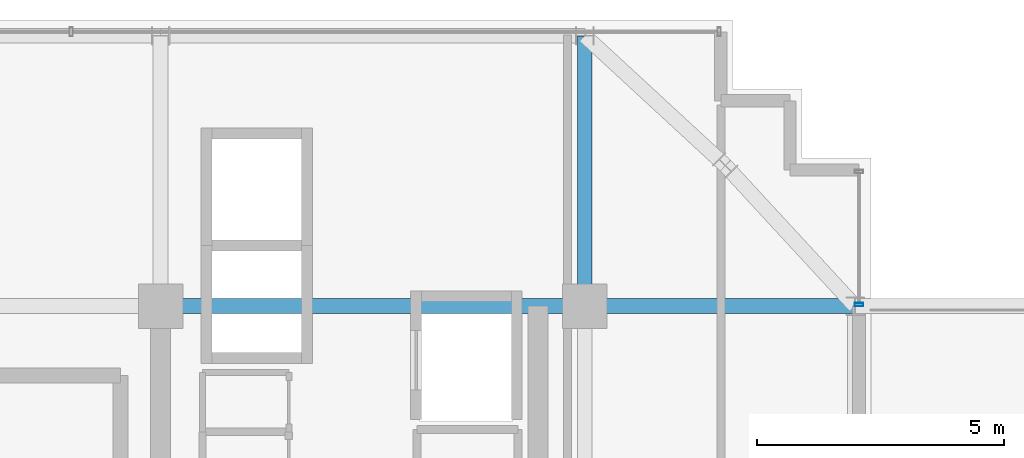
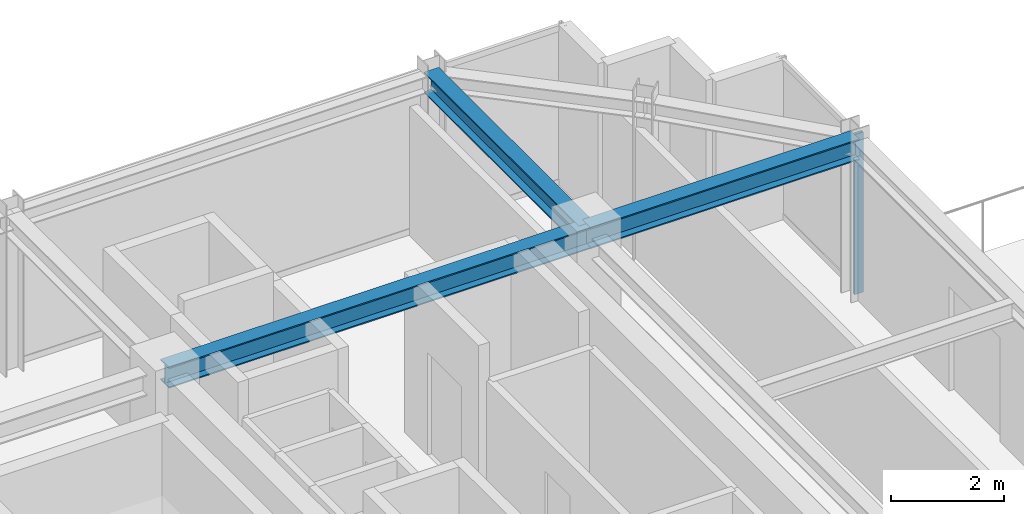
# One storey, part 23 of 33: 3 beams, 1 member, 1 element without a shape of its own.
"""IFC4 building model written with IfcOpenShell, lengths in metres."""

from ifc_helpers import new_model, si_unit, direction, frame, origin, origin_2d, place, context, subcontext, project, spatial, hollow_rectangle, i_section, extrude, source, transform, mapped, material, material_profile, profile_set, type_object, element, aggregate, save


model = new_model("IFC4")

# Units and contexts
model_context = context("Model", 3, precision=1e-05, world=origin(), true_north=direction((0.0, 1.0)))
body_context = subcontext(model_context, "Body", "Model", "MODEL_VIEW")
ifc_project = project(units=[si_unit("LENGTHUNIT", "METRE"), si_unit("AREAUNIT", "SQUARE_METRE"), si_unit("VOLUMEUNIT", "CUBIC_METRE"), si_unit("PLANEANGLEUNIT", "RADIAN"), si_unit("MASSUNIT", "GRAM", prefix="KILO")], contexts=[model_context])

# Site, building, storey
site_placement = place(None, origin())
site = spatial("IfcSite", under=ifc_project, at=site_placement, CompositionType="ELEMENT")
building_placement = place(site_placement, origin())
building = spatial("IfcBuilding", under=site, at=building_placement, Name="Nahalor Promenade Grand Hotel", CompositionType="ELEMENT")
storey_placement = place(building_placement, frame((0.0, 0.0, 270.050048828125)))
storey = spatial("IfcBuildingStorey", under=building, at=storey_placement, Name="L69", CompositionType="ELEMENT", Elevation=270.050048828125)

# Beams
ifc_material_1 = material(Name="Steel S355JR", Category="steel")
ifc_material_profile_1 = material_profile(ifc_material_1, i_section(OverallWidth=0.3, OverallDepth=0.45, WebThickness=0.014, FlangeThickness=0.026, at=origin_2d()), Name="HEB 450")
ifc_profile_set_1 = profile_set([ifc_material_profile_1], Name="Steel S355JR")
beam_type = type_object("IfcBeamType", Name="Beam-Girder-HEB450", PredefinedType="BEAM", material=ifc_profile_set_1)
shared_shape_1 = source(origin(), body_context, "Body", "SweptSolid", [
    extrude(i_section(OverallWidth=0.3, OverallDepth=0.45, WebThickness=0.014, FlangeThickness=0.026, at=origin_2d()), origin(), (0.0, 0.0, 1.0), 8.60009765625),
])
beam_placement = place(storey_placement, frame((8.39990234375, 17.0, 3.224853515625), z_axis=(1.0, 0.0, 0.0), x_axis=(0.0, 1.0, 0.0)))
element("IfcBeam", 1, at=beam_placement, inside=storey, type_object=beam_type, Name="BM-L69-GX-3-5", PredefinedType="BEAM", context=body_context, shape_type="MappedRepresentation", body=[
    mapped(shared_shape_1, transform((0.0, 0.0, 0.0), scale=1.0)),
])
shared_shape_2 = source(origin(), body_context, "Body", "SweptSolid", [
    extrude(i_section(OverallWidth=0.3, OverallDepth=0.45, WebThickness=0.014, FlangeThickness=0.026, at=origin_2d()), origin(), (0.0, 0.0, 1.0), 5.47998046875),
])
for number, where, z_axis, x_axis, name in (
    (2, (17.0, 17.0, 3.224853515625), (1.0, 0.0, 0.0), (0.0, 1.0, 0.0), "BM-L69-GX-3-6"),
    (3, (17.0, 17.0, 3.224853515625), (0.0, 1.0, 0.0), (-1.0, 0.0, 0.0), "BM-L69-GY-5-4"),
):
    element("IfcBeam", number, at=place(storey_placement, frame(where, z_axis=z_axis, x_axis=x_axis)), inside=storey, type_object=beam_type, Name=name, PredefinedType="BEAM", context=body_context, shape_type="MappedRepresentation", body=[
        mapped(shared_shape_2, transform((0.0, 0.0, 0.0), scale=1.0)),
    ])

# Curtain wall, member
ifc_material_2 = material(Name="Anodised Bronze Aluminium EN AW-6063 T6", Category="aluminium")
curtain_wall_type = type_object("IfcCurtainWallType", Name="CW2 Typical Hotel Flush Bronze Unitised Curtain Wall", PredefinedType="USERDEFINED", material=ifc_material_2)
curtain_wall_placement = place(storey_placement, origin())
curtain_wall = element("IfcCurtainWall", 4, at=curtain_wall_placement, inside=storey, type_object=curtain_wall_type, Name="L69 Curtain Wall CW-L69-E-3", ObjectType="UNITISED_CURTAIN_WALL", PredefinedType="USERDEFINED")
ifc_material_profile_2 = material_profile(ifc_material_2, hollow_rectangle(XDim=0.065, YDim=0.18, WallThickness=0.004, at=origin_2d()), Name="CWM 65x180x4")
ifc_profile_set_2 = profile_set([ifc_material_profile_2], Name="Anodised Bronze Aluminium EN AW-6063 T6")
member_type = type_object("IfcMemberType", Name="CWM2 Typical Bronze Mullion 65x180", PredefinedType="MULLION", material=ifc_profile_set_2)
shared_shape_3 = source(origin(), body_context, "Body", "SweptSolid", [
    extrude(hollow_rectangle(XDim=0.065, YDim=0.18, WallThickness=0.004, at=origin_2d()), origin(), (0.0, 0.0, 1.0), 3.449951171875),
])
member_placement = place(storey_placement, frame((22.56005859375, 17.032470703125, 0.0), z_axis=(0.0, 0.0, 1.0), x_axis=(0.0, 1.0, 0.0)))
member = element("IfcMember", 5, at=member_placement, type_object=member_type, Name="CW-L69-E-3 Mullion 0", PredefinedType="MULLION", context=body_context, shape_type="MappedRepresentation", body=[
    mapped(shared_shape_3, transform((0.0, 0.0, 0.0), scale=1.0)),
])
aggregate(curtain_wall, [member])

save(model, "model.ifc")
